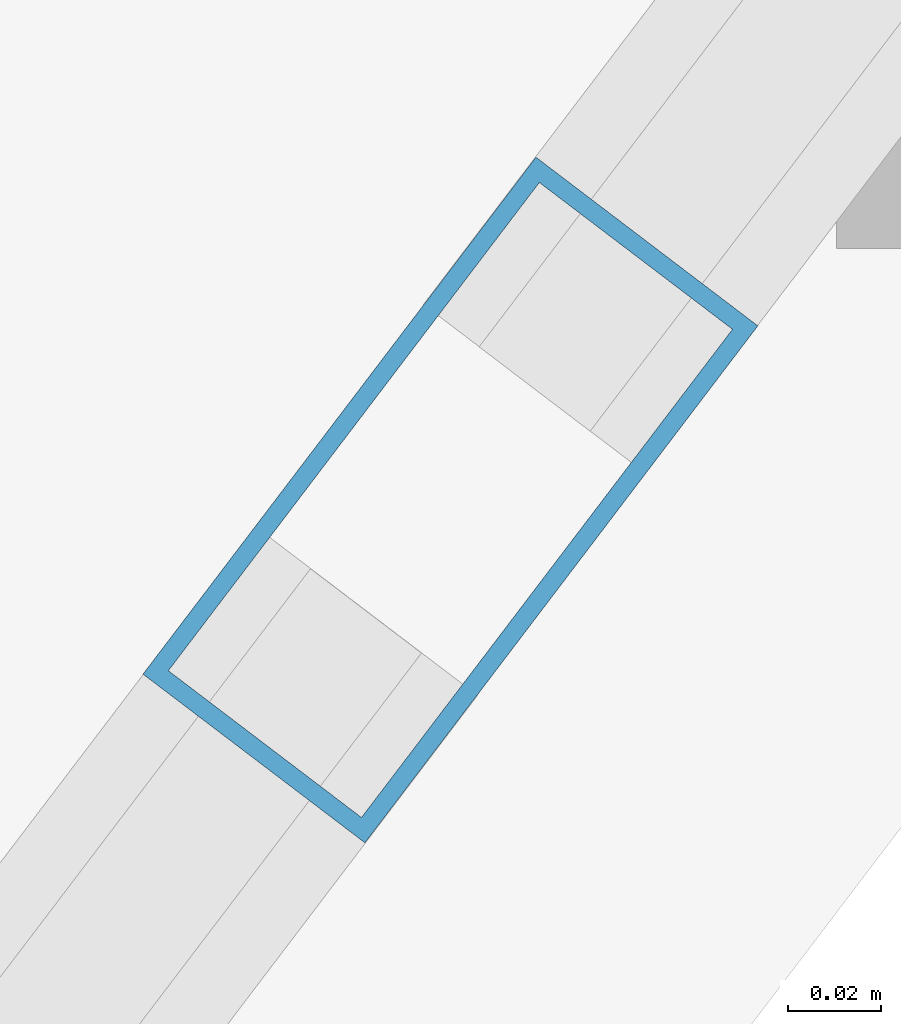
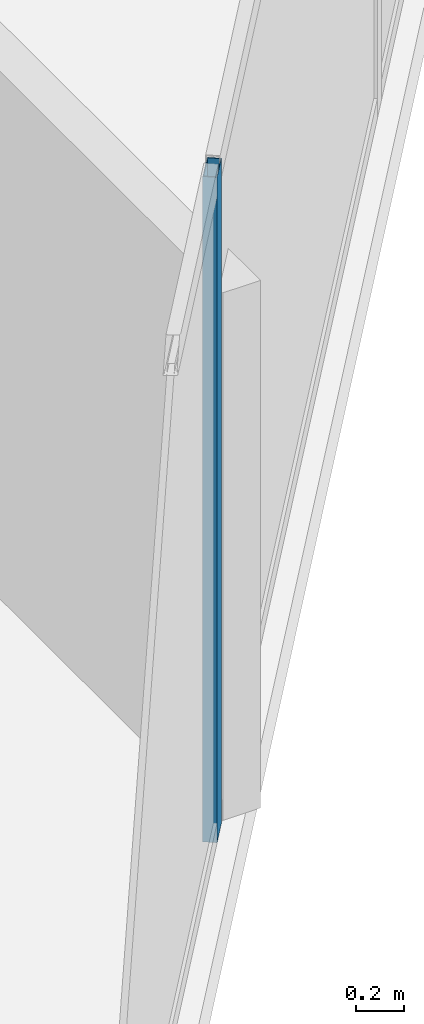
# One storey, part 4 of 17: 1 member, 1 element without a shape of its own.
"""IFC4 building model written with IfcOpenShell, lengths in metres."""

from ifc_helpers import new_model, si_unit, direction, frame, origin, origin_2d, place, context, subcontext, project, spatial, hollow_rectangle, extrude, material, layer, layer_set, material_profile, profile_set, type_object, element, aggregate, save


model = new_model("IFC4")

# Units and contexts
model_context = context("Model", 3, precision=1e-05, world=origin(), true_north=direction((0.0, 1.0)))
body_context = subcontext(model_context, "Body", "Model", "MODEL_VIEW")
ifc_project = project(units=[si_unit("LENGTHUNIT", "METRE"), si_unit("AREAUNIT", "SQUARE_METRE"), si_unit("VOLUMEUNIT", "CUBIC_METRE"), si_unit("PLANEANGLEUNIT", "RADIAN"), si_unit("MASSUNIT", "GRAM", prefix="KILO")], contexts=[model_context])

# Site, building, storey
site_placement = place(None, origin())
site = spatial("IfcSite", under=ifc_project, at=site_placement, CompositionType="ELEMENT")
building_placement = place(site_placement, origin())
building = spatial("IfcBuilding", under=site, at=building_placement, Name="Kravanh Interchange Tower", CompositionType="ELEMENT")
storey_placement = place(building_placement, frame((0.0, 0.0, 256.199951171875)))
storey = spatial("IfcBuildingStorey", under=building, at=storey_placement, Name="L62", CompositionType="ELEMENT", Elevation=256.199951171875)

# Curtain wall, member
ifc_material_1 = material(Name="Anodised Bronze Aluminium", Category="aluminium")
ifc_layer = layer(ifc_material_1, 0.179931640625)
ifc_layer_set = layer_set([ifc_layer], Name="Unitised Curtain Wall System CW-HTL Luxury Hotel")
curtain_wall_type = type_object("IfcCurtainWallType", Name="Unitised Curtain Wall System CW-HTL Luxury Hotel", PredefinedType="NOTDEFINED", material=ifc_layer_set)
curtain_wall_placement = place(storey_placement, origin())
curtain_wall = element("IfcCurtainWall", 1, at=curtain_wall_placement, inside=storey, type_object=curtain_wall_type, Name="L62 Unitised Curtain Wall CW-L62-04", PredefinedType="NOTDEFINED")
ifc_material_2 = material(Name="Anodised Bronze Aluminium", Category="aluminium")
ifc_material_profile = material_profile(ifc_material_2, hollow_rectangle(XDim=0.06005859375, YDim=0.139892578125, WallThickness=0.00390625, at=origin_2d()), Name="ALU60X140X4")
ifc_profile_set = profile_set([ifc_material_profile], Name="Anodised Bronze Aluminium")
member_type = type_object("IfcMemberType", Name="Curtain Wall Mullion ALU60X140X4 Bronze", PredefinedType="MULLION", material=ifc_profile_set)
member_placement = place(storey_placement, frame((38.427001953125, 22.11279296875, 0.0), z_axis=(0.0, 0.0, 1.0), x_axis=(0.79616243806, -0.605082946564, 0.0)))
member = element("IfcMember", 2, at=member_placement, type_object=member_type, Name="CW-HTL mullion 3", PredefinedType="MULLION", context=body_context, shape_type="SweptSolid", body=[
    extrude(hollow_rectangle(XDim=0.06005859375, YDim=0.139892578125, WallThickness=0.00390625, at=origin_2d()), origin(), (0.0, 0.0, 1.0), 3.360107421875),
])
aggregate(curtain_wall, [member])

save(model, "model.ifc")
